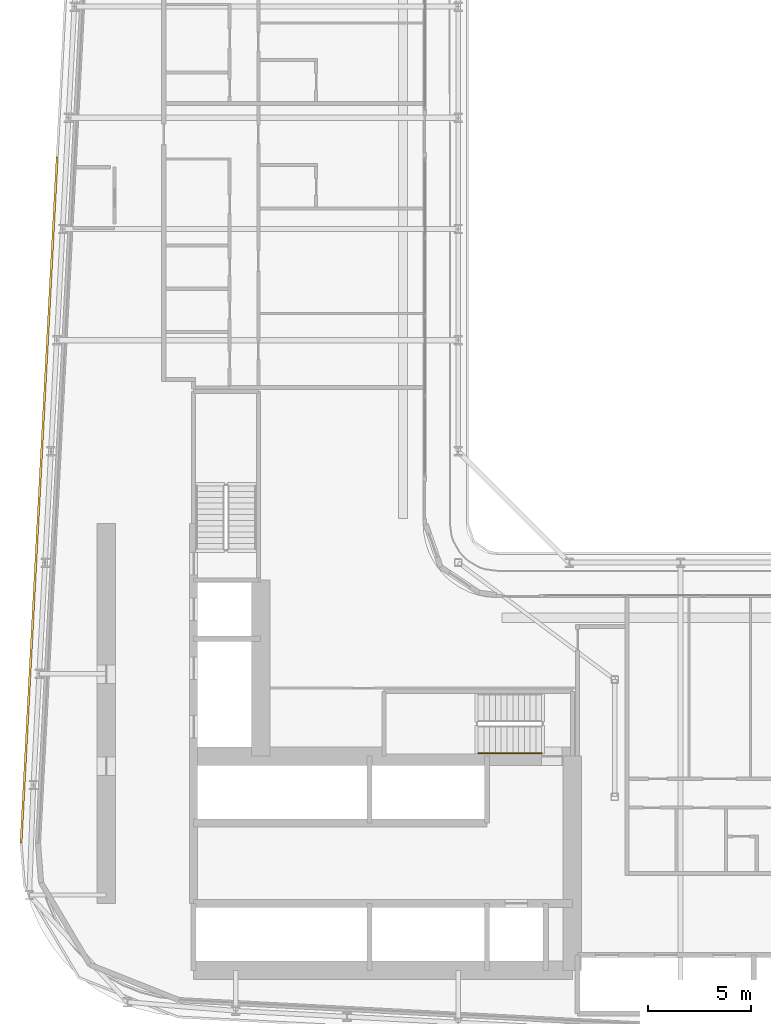
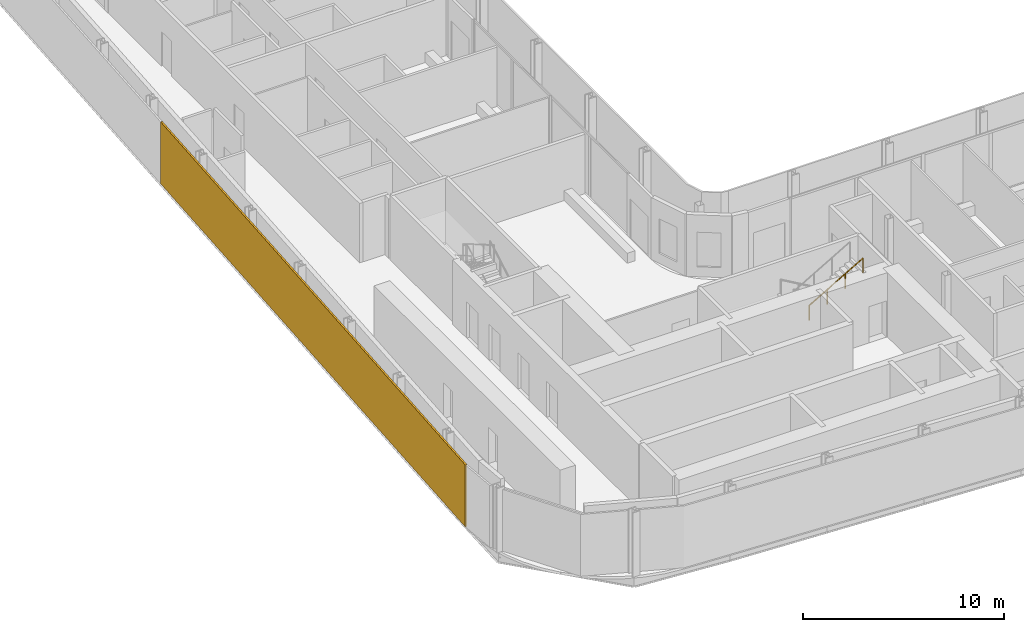
# One storey, part 22 of 28: 1 railing, 1 shading device.
"""IFC4 building model written with IfcOpenShell, lengths in metres."""

from ifc_helpers import new_model, si_unit, direction, frame, origin, origin_2d, place, context, subcontext, project, spatial, rectangle, circle, extrude, material, layer, layer_set, type_object, element, save


model = new_model("IFC4")

# Units and contexts
model_context = context("Model", 3, precision=1e-05, world=origin(), true_north=direction((0.0, 1.0)))
body_context = subcontext(model_context, "Body", "Model", "MODEL_VIEW")
ifc_project = project(units=[si_unit("LENGTHUNIT", "METRE"), si_unit("AREAUNIT", "SQUARE_METRE"), si_unit("VOLUMEUNIT", "CUBIC_METRE"), si_unit("PLANEANGLEUNIT", "RADIAN"), si_unit("MASSUNIT", "GRAM", prefix="KILO")], contexts=[model_context])

# Site, building, storey
site_placement = place(None, origin())
site = spatial("IfcSite", under=ifc_project, at=site_placement, CompositionType="ELEMENT")
building_placement = place(site_placement, origin())
building = spatial("IfcBuilding", under=site, at=building_placement, Name="Kheshtan School and Residences Tower", CompositionType="ELEMENT")
storey_placement = place(building_placement, frame((0.0, 0.0, 140.89990234375)))
storey = spatial("IfcBuildingStorey", under=building, at=storey_placement, Name="L33", CompositionType="ELEMENT", Elevation=140.89990234375)

# Shading device
ifc_material_1 = material(Name="Terracotta baguette, extruded ceramic", Category="masonry")
ifc_layer = layer(ifc_material_1, 0.10009765625)
ifc_layer_set = layer_set([ifc_layer], Name="Ledge screen, terracotta baguettes")
shading_device_type = type_object("IfcShadingDeviceType", Name="Ledge screen, terracotta baguettes", PredefinedType="USERDEFINED", material=ifc_layer_set)
shading_device_placement = place(storey_placement, frame((27.24609375, 48.638916015625, 0.0), z_axis=(0.0, 0.0, 1.0), x_axis=(0.052562536748, 0.998617634398, 0.0)))
element("IfcShadingDevice", 1, at=shading_device_placement, inside=storey, type_object=shading_device_type, Name="Screen L33 4", ObjectType="BAGUETTE", PredefinedType="USERDEFINED", context=body_context, shape_type="SweptSolid", body=[
    extrude(rectangle(XDim=33.341064453125, YDim=0.10009765625, at=origin_2d()), origin(), (0.0, 0.0, 1.0), 3.75),
])

# Railing
ifc_material_2 = material(Name="Stainless steel handrail", Category="steel")
railing_type = type_object("IfcRailingType", Name="Stair handrail 900", PredefinedType="HANDRAIL", material=ifc_material_2)
railing_placement = place(storey_placement, frame((48.570068359375, 36.35009765625, 2.112548828125)))
element("IfcRailing", 2, at=railing_placement, inside=storey, type_object=railing_type, Name="L33 ST1 stair handrail 2", PredefinedType="HANDRAIL", context=body_context, shape_type="SweptSolid", body=[
    extrude(circle(Radius=0.02392578125, at=origin_2d()), frame((0.0, 0.0, 0.8759765625), z_axis=(0.864873446163, 0.0, 0.501989962173), x_axis=(0.0, 1.0, 0.0)), (0.0, 0.0, 1.0), 3.56103515625),
    extrude(circle(Radius=0.02099609375, at=origin_2d()), origin(), (0.0, 0.0, 1.0), 0.851806640625),
    extrude(circle(Radius=0.02099609375, at=origin_2d()), frame((1.026611328125, 0.0, 0.595947265625)), (0.0, 0.0, 1.0), 0.851806640625),
    extrude(circle(Radius=0.02099609375, at=origin_2d()), frame((2.05322265625, 0.0, 1.191650390625)), (0.0, 0.0, 1.0), 0.851806640625),
    extrude(circle(Radius=0.02099609375, at=origin_2d()), frame((3.079833984375, 0.0, 1.78759765625)), (0.0, 0.0, 1.0), 0.851806640625),
])

save(model, "model.ifc")
